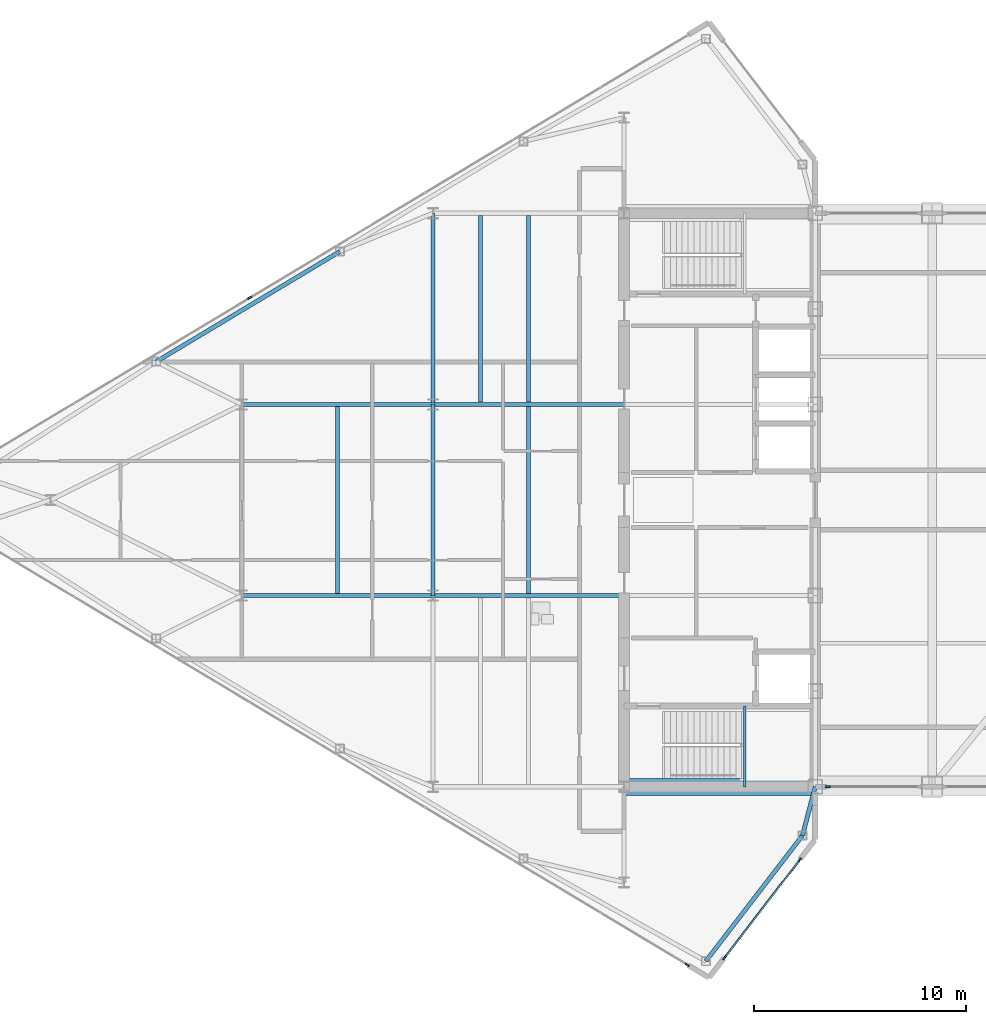
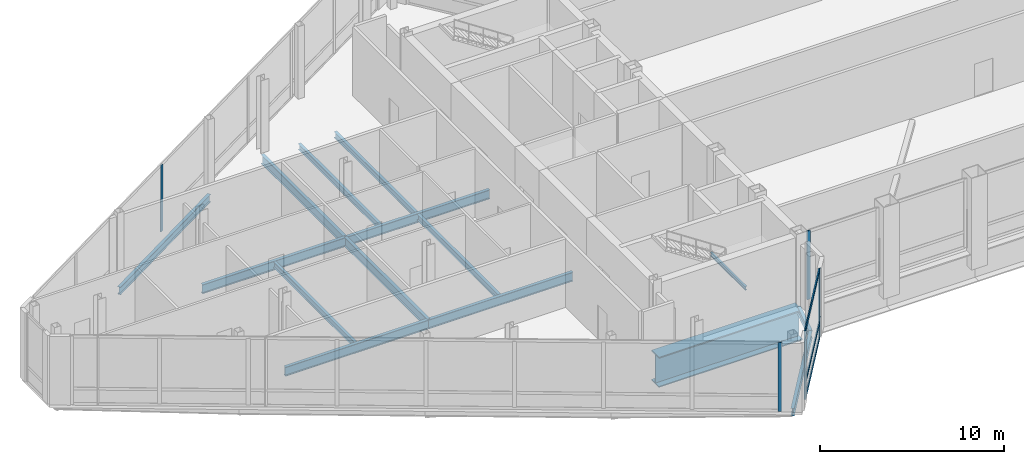
# One storey, part 9 of 29: 15 beams, 8 members, 4 elements without a shape of their own.
"""IFC4 building model written with IfcOpenShell, lengths in metres."""

from ifc_helpers import new_model, si_unit, direction, frame, origin, origin_2d, place, context, subcontext, project, spatial, rectangle, i_section, extrude, source, transform, mapped, material, layer, layer_set, material_profile, profile_set, type_object, type_shapes, element, aggregate, save


model = new_model("IFC4")

# Units and contexts
model_context = context("Model", 3, precision=1e-05, world=origin(), true_north=direction((0.0, 1.0)))
body_context = subcontext(model_context, "Body", "Model", "MODEL_VIEW")
ifc_project = project(units=[si_unit("LENGTHUNIT", "METRE"), si_unit("AREAUNIT", "SQUARE_METRE"), si_unit("VOLUMEUNIT", "CUBIC_METRE"), si_unit("PLANEANGLEUNIT", "RADIAN"), si_unit("MASSUNIT", "GRAM", prefix="KILO")], contexts=[model_context])

# Site, building, storey
site_placement = place(None, origin())
site = spatial("IfcSite", under=ifc_project, at=site_placement, CompositionType="ELEMENT")
building_placement = place(site_placement, origin())
building = spatial("IfcBuilding", under=site, at=building_placement, Name="Seokmaru Belvedere", CompositionType="ELEMENT")
storey_placement = place(building_placement, frame((0.0, 0.0, 229.800048828125)))
storey = spatial("IfcBuildingStorey", under=building, at=storey_placement, Name="L61", CompositionType="ELEMENT", Elevation=229.800048828125)

# Beams
ifc_material_1 = material(Name="Steel SM355 (355 MPa)", Category="steel")
ifc_material_profile_1 = material_profile(ifc_material_1, i_section(OverallWidth=0.199951171875, OverallDepth=0.60009765625, WebThickness=0.010986328125, FlangeThickness=0.01708984375, at=origin_2d()), Name="H-600x200x11x17")
ifc_profile_set_1 = profile_set([ifc_material_profile_1], Name="Steel SM355 (355 MPa)")
beam_type_1 = type_object("IfcBeamType", Name="Primary Floor Girder H-600", PredefinedType="BEAM", material=ifc_profile_set_1)
shared_shape_1 = source(origin(), body_context, "Body", "SweptSolid", [
    extrude(i_section(OverallWidth=0.199951171875, OverallDepth=0.60009765625, WebThickness=0.010986328125, FlangeThickness=0.01708984375, at=origin_2d()), origin(), (0.0, 0.0, 1.0), 9.0),
])
type_shapes(beam_type_1, [shared_shape_1])
for number, where, z_axis, x_axis, name in (
    (1, (-45.5, -4.5, -0.56005859375), (0.0, 1.0, 0.0), (-1.0, 0.0, 0.0), "L61 W Interior Grid Girder 2"),
    (2, (-45.5, 4.5, -0.56005859375), (0.0, 1.0, 0.0), (-1.0, 0.0, 0.0), "L61 W Interior Grid Girder 3"),
    (3, (-45.5, -4.5, -0.56005859375), (1.0, 0.0, 0.0), (0.0, 1.0, 0.0), "L61 W Wing Primary Girder 2"),
    (4, (-45.5, 4.5, -0.56005859375), (1.0, 0.0, 0.0), (0.0, 1.0, 0.0), "L61 W Wing Primary Girder 3"),
    (5, (-54.5, -4.5, -0.56005859375), (1.0, 0.0, 0.0), (0.0, 1.0, 0.0), "L61 W Outer Wing Girder 1"),
    (6, (-54.5, 4.5, -0.56005859375), (1.0, 0.0, 0.0), (0.0, 1.0, 0.0), "L61 W Outer Wing Girder 2"),
):
    element("IfcBeam", number, at=place(storey_placement, frame(where, z_axis=z_axis, x_axis=x_axis)), inside=storey, type_object=beam_type_1, Name=name, PredefinedType="BEAM", context=body_context, shape_type="MappedRepresentation", body=[
        mapped(shared_shape_1, transform((0.0, 0.0, 0.0), scale=1.0)),
    ])
ifc_material_profile_2 = material_profile(ifc_material_1, i_section(OverallWidth=0.18505859375, OverallDepth=0.389892578125, WebThickness=0.008056640625, FlangeThickness=0.011962890625, at=origin_2d()), Name="H-390x185x8x12")
ifc_profile_set_2 = profile_set([ifc_material_profile_2], Name="Steel SM355 (355 MPa)")
beam_type_2 = type_object("IfcBeamType", Name="Secondary Floor Joist H-350", PredefinedType="JOIST", material=ifc_profile_set_2)
shared_shape_2 = source(origin(), body_context, "Body", "SweptSolid", [
    extrude(i_section(OverallWidth=0.18505859375, OverallDepth=0.389892578125, WebThickness=0.008056640625, FlangeThickness=0.011962890625, at=origin_2d()), origin(), (0.0, 0.0, 1.0), 8.7900390625),
])
type_shapes(beam_type_2, [shared_shape_2])
for number, where, z_axis, x_axis, name in (
    (7, (-43.25, 4.60498046875, -0.455078125), (0.0, 1.0, 0.0), (-1.0, 0.0, 0.0), "L61 W Wing Inner Secondary Joist 2"),
    (8, (-41.0, -4.39501953125, -0.455078125), (0.0, 1.0, 0.0), (-1.0, 0.0, 0.0), "L61 W Secondary Floor Joist 2"),
    (9, (-41.0, 4.60498046875, -0.455078125), (0.0, 1.0, 0.0), (-1.0, 0.0, 0.0), "L61 W Secondary Floor Joist 3"),
    (10, (-50.0, -4.39501953125, -0.455078125), (0.0, 1.0, 0.0), (-1.0, 0.0, 0.0), "L61 W Outer Bay Secondary Joist"),
):
    element("IfcBeam", number, at=place(storey_placement, frame(where, z_axis=z_axis, x_axis=x_axis)), inside=storey, type_object=beam_type_2, Name=name, PredefinedType="JOIST", context=body_context, shape_type="MappedRepresentation", body=[
        mapped(shared_shape_2, transform((0.0, 0.0, 0.0), scale=1.0)),
    ])
ifc_material_profile_3 = material_profile(ifc_material_1, i_section(OverallWidth=0.199951171875, OverallDepth=0.5, WebThickness=0.010009765625, FlangeThickness=0.01611328125, at=origin_2d()), Name="H-500x200x10x16")
ifc_profile_set_3 = profile_set([ifc_material_profile_3], Name="Steel SM355 (355 MPa)")
beam_type_3 = type_object("IfcBeamType", Name="Perimeter Spandrel Beam H-500", PredefinedType="SPANDREL", material=ifc_profile_set_3)
shared_shape_3 = source(origin(), body_context, "Body", "SweptSolid", [
    extrude(i_section(OverallWidth=0.199951171875, OverallDepth=0.5, WebThickness=0.010009765625, FlangeThickness=0.01611328125, at=origin_2d()), origin(), (0.0, 0.0, 1.0), 10.087646484375),
])
beam_1_placement = place(storey_placement, frame((-49.8798828125, 11.698974609375, -0.510009765625), z_axis=(-0.857488654804, -0.514502873542, 0.0), x_axis=(0.514502873542, -0.857488654804, 0.0)))
element("IfcBeam", 11, at=beam_1_placement, inside=storey, type_object=beam_type_3, Name="L61 W Faceted Flank Spandrel N-3", PredefinedType="SPANDREL", context=body_context, shape_type="MappedRepresentation", body=[
    mapped(shared_shape_3, transform((0.0, 0.0, 0.0), scale=1.0)),
])
shared_shape_4 = source(origin(), body_context, "Body", "SweptSolid", [
    extrude(i_section(OverallWidth=0.199951171875, OverallDepth=0.5, WebThickness=0.010009765625, FlangeThickness=0.01611328125, at=origin_2d()), origin(), (0.0, 0.0, 1.0), 7.4619140625),
])
beam_2_placement = place(storey_placement, frame((-32.649658203125, -21.71044921875, -0.510009765625), z_axis=(0.609702854945, 0.792630070507, 0.0), x_axis=(-0.792630070507, 0.609702854945, 0.0)))
element("IfcBeam", 12, at=beam_2_placement, inside=storey, type_object=beam_type_3, Name="L61 W Shoulder Chamfer Spandrel S", PredefinedType="SPANDREL", context=body_context, shape_type="MappedRepresentation", body=[
    mapped(shared_shape_4, transform((0.0, 0.0, 0.0), scale=1.0)),
])
shared_shape_5 = source(origin(), body_context, "Body", "SweptSolid", [
    extrude(i_section(OverallWidth=0.199951171875, OverallDepth=0.5, WebThickness=0.010009765625, FlangeThickness=0.01611328125, at=origin_2d()), origin(), (0.0, 0.0, 1.0), 2.373046875),
])
type_shapes(beam_type_3, [shared_shape_3, shared_shape_4, shared_shape_5])
beam_3_placement = place(storey_placement, frame((-28.10009765625, -15.7958984375, -0.510009765625), z_axis=(0.252882558842, 0.967496982648, 0.0), x_axis=(-0.967496982648, 0.252882558842, 0.0)))
element("IfcBeam", 13, at=beam_3_placement, inside=storey, type_object=beam_type_3, Name="L61 W Shoulder Spine Spandrel S", PredefinedType="SPANDREL", context=body_context, shape_type="MappedRepresentation", body=[
    mapped(shared_shape_5, transform((0.0, 0.0, 0.0), scale=1.0)),
])
ifc_material_2 = material(Name="Steel HSA650 (650 MPa)", Category="steel")
ifc_material_profile_4 = material_profile(ifc_material_2, i_section(OverallWidth=0.800048828125, OverallDepth=2.0, WebThickness=0.0400390625, FlangeThickness=0.070068359375, at=origin_2d()), Name="BH-2000x800x40x70")
ifc_profile_set_4 = profile_set([ifc_material_profile_4], Name="Steel HSA650 (650 MPa)")
beam_type_4 = type_object("IfcBeamType", Name="Sky-Gate Transfer Truss Chord Girder BH-2000", PredefinedType="BEAM", material=ifc_profile_set_4)
shared_shape_6 = source(origin(), body_context, "Body", "SweptSolid", [
    extrude(i_section(OverallWidth=0.800048828125, OverallDepth=2.0, WebThickness=0.0400390625, FlangeThickness=0.070068359375, at=origin_2d()), origin(), (0.0, 0.0, 1.0), 9.0),
])
type_shapes(beam_type_4, [shared_shape_6])
beam_4_placement = place(storey_placement, frame((-36.5, -13.5, -1.260009765625), z_axis=(1.0, 0.0, 0.0), x_axis=(0.0, 1.0, 0.0)))
element("IfcBeam", 14, at=beam_4_placement, inside=storey, type_object=beam_type_4, Name="L61 Sky-Gate Transfer Truss Chord S-01", PredefinedType="BEAM", context=body_context, shape_type="MappedRepresentation", body=[
    mapped(shared_shape_6, transform((0.0, 0.0, 0.0), scale=1.0)),
])

# Curtain wall, member
ifc_material_3 = material(Name="Bronze Triple Insulating Glass", Category="glass")
ifc_layer = layer(ifc_material_3, 0.219970703125)
ifc_layer_set = layer_set([ifc_layer], Name="Bronze Triple Insulating Glass")
curtain_wall_type = type_object("IfcCurtainWallType", Name="Sky-Gate Bridge Panorama Curtain Wall System CW-6", PredefinedType="NOTDEFINED", material=ifc_layer_set)
curtain_wall_1_placement = place(storey_placement, origin())
curtain_wall_1 = element("IfcCurtainWall", 15, at=curtain_wall_1_placement, inside=storey, type_object=curtain_wall_type, Name="L61 Curtain Wall WF5", PredefinedType="NOTDEFINED")
ifc_material_4 = material(Name="Anodised Bronze Aluminium", Category="aluminium")
ifc_material_profile_5 = material_profile(ifc_material_4, rectangle(XDim=0.080078125, YDim=0.219970703125, at=origin_2d()), Name="CW-M-80x220")
ifc_profile_set_5 = profile_set([ifc_material_profile_5], Name="Anodised Bronze Aluminium")
member_type_1 = type_object("IfcMemberType", Name="Bronze Unitised Mullion 80x220", PredefinedType="MULLION", material=ifc_profile_set_5)
shared_shape_7 = source(origin(), body_context, "Body", "SweptSolid", [
    extrude(rectangle(XDim=0.080078125, YDim=0.219970703125, at=origin_2d()), origin(), (0.0, 0.0, 1.0), 4.5400390625),
])
member_1_placement = place(storey_placement, frame((-33.5205078125, -21.8876953125, 0.0), z_axis=(0.0, 0.0, 1.0), x_axis=(0.514494909364, 0.85749343335, 0.0)))
member_1 = element("IfcMember", 16, at=member_1_placement, type_object=member_type_1, Name="CW:L61:WF5 Mullion 9", PredefinedType="MULLION", context=body_context, shape_type="MappedRepresentation", body=[
    mapped(shared_shape_7, transform((0.0, 0.0, 0.0), scale=1.0)),
])
aggregate(curtain_wall_1, [member_1])

# Curtain wall, members
curtain_wall_2_placement = place(storey_placement, origin())
curtain_wall_2 = element("IfcCurtainWall", 17, at=curtain_wall_2_placement, inside=storey, type_object=curtain_wall_type, Name="L61 Curtain Wall WF6", PredefinedType="NOTDEFINED")
member_2_placement = place(storey_placement, frame((-31.7744140625, -21.556884765625, 0.0), z_axis=(0.0, 0.0, 1.0), x_axis=(-0.792631353244, 0.609701187349, 0.0)))
member_2 = element("IfcMember", 18, at=member_2_placement, type_object=member_type_1, Name="CW:L61:WF6 Mullion 1", PredefinedType="MULLION", context=body_context, shape_type="MappedRepresentation", body=[
    mapped(shared_shape_7, transform((0.0, 0.0, 0.0), scale=1.0)),
])
member_3_placement = place(storey_placement, frame((-28.2255859375, -16.943115234375, 0.0), z_axis=(0.0, 0.0, 1.0), x_axis=(-0.792631353244, 0.609701187349, 0.0)))
member_3 = element("IfcMember", 19, at=member_3_placement, type_object=member_type_1, Name="CW:L61:WF6 Mullion 2", PredefinedType="MULLION", context=body_context, shape_type="MappedRepresentation", body=[
    mapped(shared_shape_7, transform((0.0, 0.0, 0.0), scale=1.0)),
])

# Curtain wall, member
curtain_wall_3_placement = place(storey_placement, origin())
curtain_wall_3 = element("IfcCurtainWall", 20, at=curtain_wall_3_placement, inside=storey, type_object=curtain_wall_type, Name="L61 Curtain Wall BR_S01", PredefinedType="NOTDEFINED")
member_4_placement = place(storey_placement, frame((-26.909912109375, -13.5, 0.0), z_axis=(0.0, 0.0, 1.0), x_axis=(0.0, 1.0, 0.0)))
member_4 = element("IfcMember", 21, at=member_4_placement, type_object=member_type_1, Name="CW:L61:BR_S01 Mullion 1", PredefinedType="MULLION", context=body_context, shape_type="MappedRepresentation", body=[
    mapped(shared_shape_7, transform((0.0, 0.0, 0.0), scale=1.0)),
])
aggregate(curtain_wall_3, [member_4])

# Member
ifc_material_profile_6 = material_profile(ifc_material_4, rectangle(XDim=0.074951171875, YDim=0.179931640625, at=origin_2d()), Name="CW-T-75x180")
ifc_profile_set_6 = profile_set([ifc_material_profile_6], Name="Anodised Bronze Aluminium")
member_type_2 = type_object("IfcMemberType", Name="Bronze Unitised Transom 75x180", PredefinedType="USERDEFINED", material=ifc_profile_set_6)
shared_shape_8 = source(origin(), body_context, "Body", "SweptSolid", [
    extrude(rectangle(XDim=0.074951171875, YDim=0.179931640625, at=origin_2d()), origin(), (0.0, 0.0, 1.0), 5.74072265625),
])
type_shapes(member_type_2, [shared_shape_8])
member_5_placement = place(storey_placement, frame((-31.75, -21.525146484375, 0.037353515625), z_axis=(0.609686097287, 0.792642960465, 0.0), x_axis=(-0.792642960465, 0.609686097287, 0.0)))
member_5 = element("IfcMember", 22, at=member_5_placement, type_object=member_type_2, Name="CW:L61:WF6 Continuous Transom 1", ObjectType="TRANSOM", PredefinedType="USERDEFINED", context=body_context, shape_type="MappedRepresentation", body=[
    mapped(shared_shape_8, transform((0.0, 0.0, 0.0), scale=1.0)),
])

member_6_placement = place(storey_placement, frame((-31.75, -21.525146484375, 4.50244140625), z_axis=(0.609686097287, 0.792642960465, 0.0), x_axis=(-0.792642960465, 0.609686097287, 0.0)))
member_6 = element("IfcMember", 23, at=member_6_placement, type_object=member_type_2, Name="CW:L61:WF6 Continuous Transom 2", ObjectType="TRANSOM", PredefinedType="USERDEFINED", context=body_context, shape_type="MappedRepresentation", body=[
    mapped(shared_shape_8, transform((0.0, 0.0, 0.0), scale=1.0)),
])

member_7_placement = place(storey_placement, frame((-31.75, -21.525146484375, 1.050048828125), z_axis=(0.609686097287, 0.792642960465, 0.0), x_axis=(-0.792642960465, 0.609686097287, 0.0)))
member_7 = element("IfcMember", 24, at=member_7_placement, type_object=member_type_2, Name="CW:L61:WF6 Spandrel Transom 1", ObjectType="TRANSOM", PredefinedType="USERDEFINED", context=body_context, shape_type="MappedRepresentation", body=[
    mapped(shared_shape_8, transform((0.0, 0.0, 0.0), scale=1.0)),
])

aggregate(curtain_wall_2, [member_2, member_3, member_5, member_6, member_7])

# Curtain wall, member
curtain_wall_4_placement = place(storey_placement, origin())
curtain_wall_4 = element("IfcCurtainWall", 25, at=curtain_wall_4_placement, inside=storey, type_object=curtain_wall_type, Name="L61 Curtain Wall WF3", PredefinedType="NOTDEFINED")
shared_shape_9 = source(origin(), body_context, "Body", "SweptSolid", [
    extrude(rectangle(XDim=0.080078125, YDim=0.219970703125, at=origin_2d()), origin(), (0.0, 0.0, 1.0), 4.389892578125),
])
type_shapes(member_type_1, [shared_shape_7, shared_shape_9])
member_8_placement = place(storey_placement, frame((-54.12841796875, 9.52294921875, 0.074951171875), z_axis=(0.0, 0.0, 1.0), x_axis=(0.514494909364, -0.85749343335, 0.0)))
member_8 = element("IfcMember", 26, at=member_8_placement, type_object=member_type_1, Name="CW:L61:WF3 Mullion 6", PredefinedType="MULLION", context=body_context, shape_type="MappedRepresentation", body=[
    mapped(shared_shape_9, transform((0.0, 0.0, 0.0), scale=1.0)),
])
aggregate(curtain_wall_4, [member_8])

# Beam
ifc_material_profile_7 = material_profile(ifc_material_1, i_section(OverallWidth=0.125, OverallDepth=0.25, WebThickness=0.006103515625, FlangeThickness=0.009033203125, at=origin_2d()), Name="H-250x125x6x9")
ifc_profile_set_7 = profile_set([ifc_material_profile_7], Name="Steel SM355 (355 MPa)")
beam_type_5 = type_object("IfcBeamType", Name="Stair Mid-Landing Support Beam H-250", PredefinedType="JOIST", material=ifc_profile_set_7)
shared_shape_10 = source(origin(), body_context, "Body", "SweptSolid", [
    extrude(i_section(OverallWidth=0.125, OverallDepth=0.25, WebThickness=0.006103515625, FlangeThickness=0.009033203125, at=origin_2d()), origin(), (0.0, 0.0, 1.0), 3.800048828125),
])
type_shapes(beam_type_5, [shared_shape_10])
beam_5_placement = place(storey_placement, frame((-30.81005859375, -13.5, 2.074951171875), z_axis=(0.0, 1.0, 0.0), x_axis=(-1.0, 0.0, 0.0)))
element("IfcBeam", 27, at=beam_5_placement, inside=storey, type_object=beam_type_5, Name="L61 Stair ST-W1 Mid-Landing Support Beam 1", PredefinedType="JOIST", context=body_context, shape_type="MappedRepresentation", body=[
    mapped(shared_shape_10, transform((0.0, 0.0, 0.0), scale=1.0)),
])

save(model, "model.ifc")
